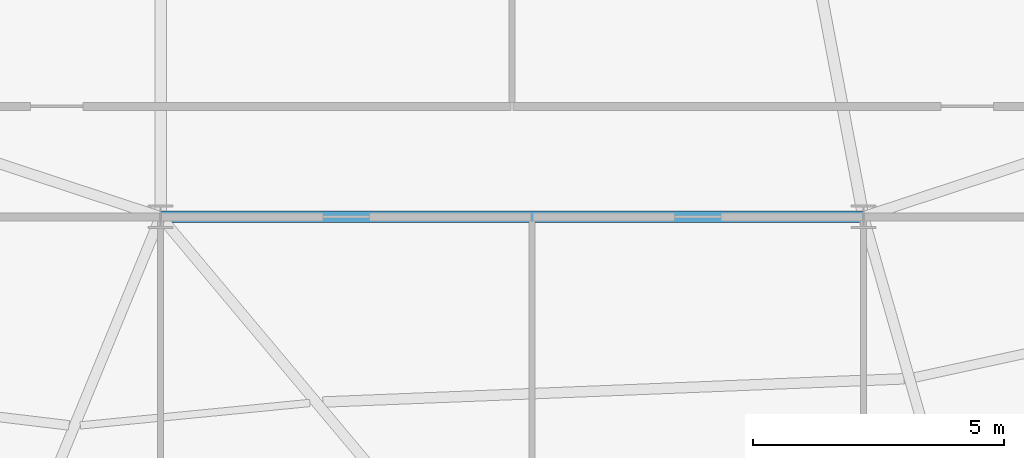
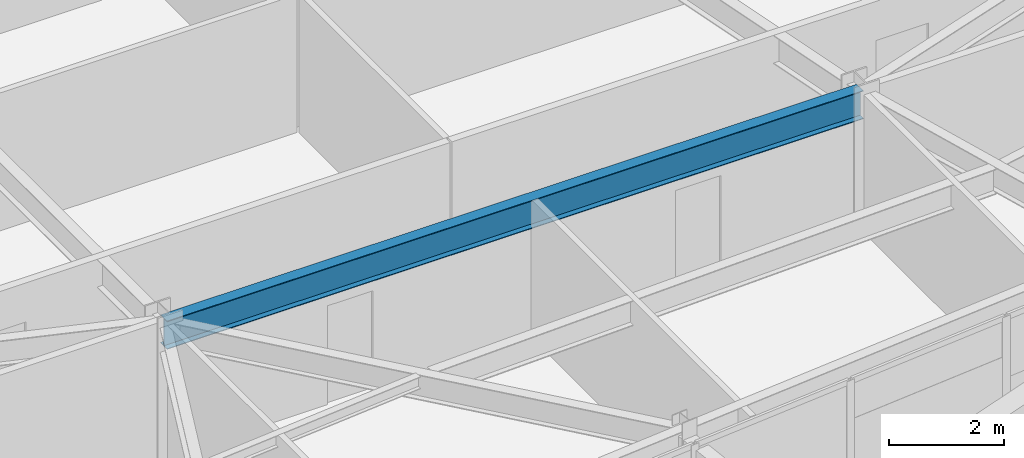
# One storey, part 12 of 52: 1 beam.
"""IFC4 building model written with IfcOpenShell, lengths in metres."""

from ifc_helpers import new_model, si_unit, direction, frame, origin, origin_2d, place, context, subcontext, project, spatial, i_section, extrude, source, transform, mapped, material, material_profile, profile_set, type_object, element, save


model = new_model("IFC4")

# Units and contexts
model_context = context("Model", 3, precision=1e-05, world=origin(), true_north=direction((0.0, 1.0)))
body_context = subcontext(model_context, "Body", "Model", "MODEL_VIEW")
ifc_project = project(units=[si_unit("LENGTHUNIT", "METRE"), si_unit("AREAUNIT", "SQUARE_METRE"), si_unit("VOLUMEUNIT", "CUBIC_METRE"), si_unit("PLANEANGLEUNIT", "RADIAN"), si_unit("MASSUNIT", "GRAM", prefix="KILO")], contexts=[model_context])

# Site, building, storey
site_placement = place(None, origin())
site = spatial("IfcSite", under=ifc_project, at=site_placement, CompositionType="ELEMENT")
building_placement = place(site_placement, origin())
building = spatial("IfcBuilding", under=site, at=building_placement, Name="Taldren Reach Tower", CompositionType="ELEMENT")
storey_placement = place(building_placement, frame((0.0, 0.0, 74.550048828125)))
storey = spatial("IfcBuildingStorey", under=building, at=storey_placement, Name="L22", CompositionType="ELEMENT", Elevation=74.550048828125)

# Beam
ifc_material = material(Name="Steel Gr 350 (350PLUS)", Category="steel")
ifc_material_profile = material_profile(ifc_material, i_section(OverallWidth=0.22802734375, OverallDepth=0.60205078125, WebThickness=0.010498046875, FlangeThickness=0.014892578125, at=origin_2d()), Name="610UB101")
ifc_profile_set = profile_set([ifc_material_profile], Name="Steel Gr 350 (350PLUS)")
beam_type = type_object("IfcBeamType", Name="BM-UB610B", PredefinedType="BEAM", material=ifc_profile_set)
shared_shape = source(origin(), body_context, "Body", "SweptSolid", [
    extrude(i_section(OverallWidth=0.22802734375, OverallDepth=0.60205078125, WebThickness=0.010498046875, FlangeThickness=0.014892578125, at=origin_2d()), origin(), (0.0, 0.0, 1.0), 14.0),
])
beam_placement = place(storey_placement, frame((28.0, 9.199951171875, 2.62890625), z_axis=(1.0, 0.0, 0.0), x_axis=(0.0, 1.0, 0.0)))
element("IfcBeam", 1, at=beam_placement, inside=storey, type_object=beam_type, Name="Core-spine girder L22-SP11", PredefinedType="BEAM", context=body_context, shape_type="MappedRepresentation", body=[
    mapped(shared_shape, transform((0.0, 0.0, 0.0), scale=1.0)),
])

save(model, "model.ifc")
